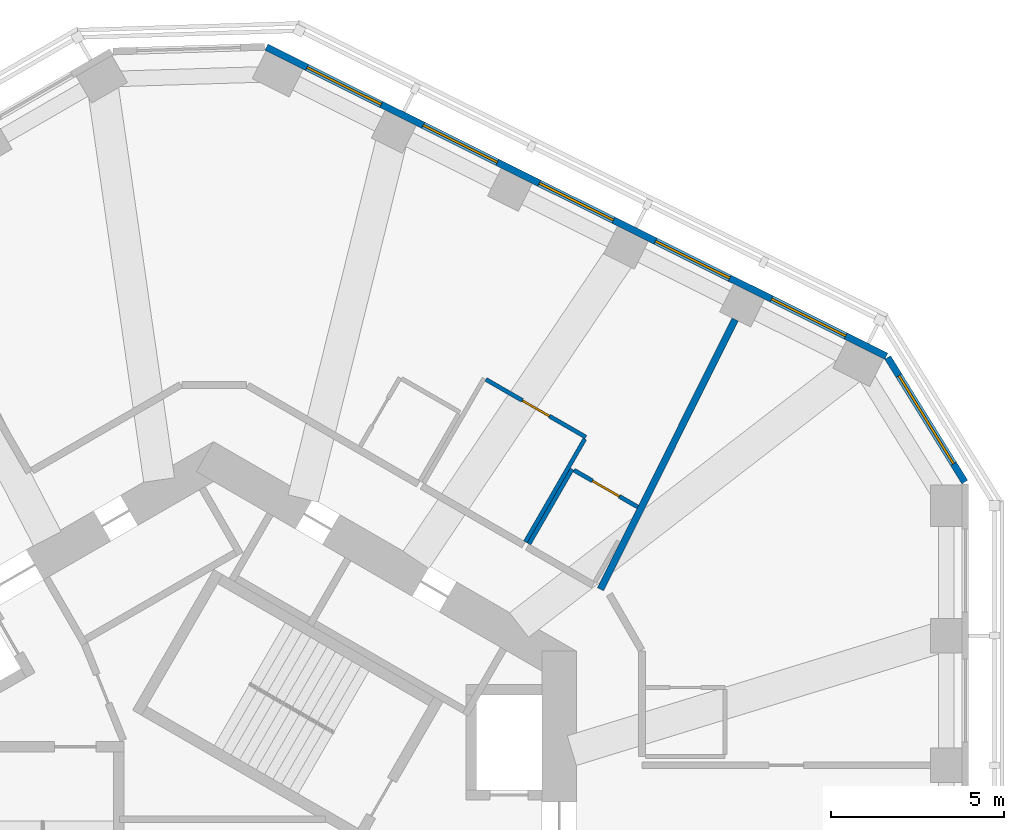
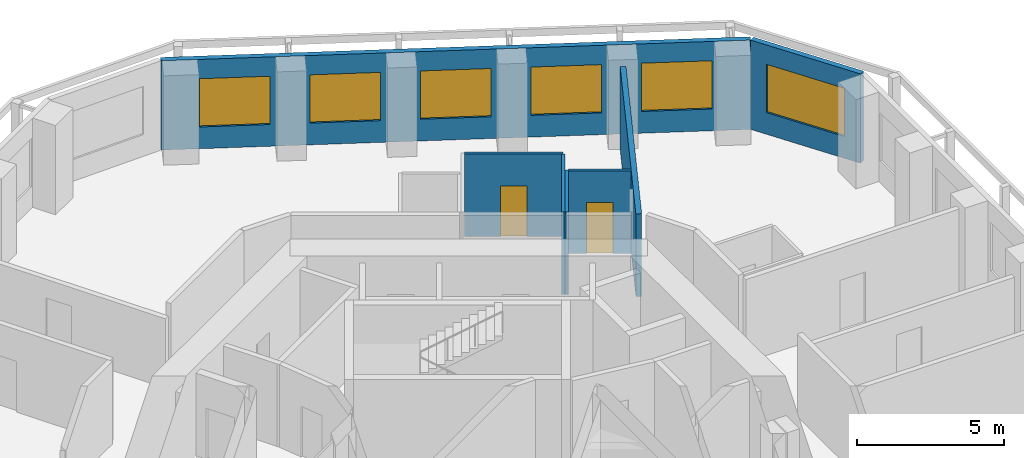
# One storey, part 8 of 11: 7 walls, 6 windows, 2 doors, 8 openings.
"""IFC4 building model written with IfcOpenShell, lengths in metres."""

import ifcopenshell
import ifcopenshell.guid

model = None  # the IFC model being written
_history = None  # IfcOwnerHistory: only IFC2X3 demands one
_inside = {}  # id of a spatial element -> (the spatial element, [elements in it])
_under = {}  # id of a project, library or spatial element -> (it, [spatial elements below it])
_declared = {}  # id of a project -> (the project, [libraries it declares])
_typed = {}  # id of a type object -> (the type object, [elements of that type])
_made_of = {}  # id of a material, layer set ... -> (it, [elements and type objects made of it])


def new_model(schema):
    """Start an empty IFC model of exactly this schema.

    Asked for "IFC4X3", IfcOpenShell would pick the latest addendum, in which some entities
    have other attributes; the version numbers below select the first issue.
    IFC2X3 requires an IfcOwnerHistory on every rooted entity: one is made here for all.
    """
    global model, _history
    if schema == "IFC4X3":
        model = ifcopenshell.file(schema_version=(4, 3, 0, 0))
    else:
        model = ifcopenshell.file(schema=schema)
    _inside.clear()
    _under.clear()
    _declared.clear()
    _typed.clear()
    _made_of.clear()
    _history = None
    if model.schema == "IFC2X3":
        org = make("IfcOrganization", Name="unknown")
        user = make(
            "IfcPersonAndOrganization",
            ThePerson=make("IfcPerson", FamilyName="unknown"),
            TheOrganization=org,
        )
        app = make(
            "IfcApplication",
            ApplicationDeveloper=org,
            Version="unknown",
            ApplicationFullName="unknown",
            ApplicationIdentifier="unknown",
        )
        _history = make(
            "IfcOwnerHistory",
            OwningUser=user,
            OwningApplication=app,
            ChangeAction="ADDED",
            CreationDate=0,
        )
    return model


def make(cls, **values):
    """One entity of the class cls with the attributes given. An attribute that is None is left unset."""
    return model.create_entity(
        cls, **{name: value for name, value in values.items() if value is not None}
    )


def rooted(cls, **values):
    """An entity with a GlobalId (a new one), such as an element, a storey or a relation."""
    return make(cls, GlobalId=ifcopenshell.guid.new(), OwnerHistory=_history, **values)


def si_unit(unit_type, name, prefix=None):
    """IfcSIUnit, for example si_unit("LENGTHUNIT", "METRE", prefix="MILLI")."""
    return make("IfcSIUnit", UnitType=unit_type, Prefix=prefix, Name=name)


def assignment(units):
    """IfcUnitAssignment: the units of a project."""
    return None if units is None else make("IfcUnitAssignment", Units=units)


def point(xyz):
    """IfcCartesianPoint."""
    return None if xyz is None else make("IfcCartesianPoint", Coordinates=xyz)


def direction(xyz):
    """IfcDirection."""
    return None if xyz is None else make("IfcDirection", DirectionRatios=xyz)


def frame(location, z_axis=None, x_axis=None):
    """IfcAxis2Placement3D, a coordinate frame: its origin and axes. An axis left out is left unset."""
    return make(
        "IfcAxis2Placement3D",
        Location=point(location),
        Axis=direction(z_axis),
        RefDirection=direction(x_axis),
    )


def frame_2d(location, x_axis=None):
    """IfcAxis2Placement2D, a coordinate frame in the plane: its origin and x axis."""
    return make(
        "IfcAxis2Placement2D", Location=point(location), RefDirection=direction(x_axis)
    )


def origin():
    """The frame at (0, 0, 0) with its axes left unset."""
    return frame((0.0, 0.0, 0.0))


def place(relative_to, where):
    """IfcLocalPlacement: puts the frame where relative to a parent placement (None: the world)."""
    return make(
        "IfcLocalPlacement", PlacementRelTo=relative_to, RelativePlacement=where
    )


def context(
    kind, dimensions, precision=None, world=None, true_north=None, identifier=None
):
    """IfcGeometricRepresentationContext, for example the 3D "Model" context."""
    return make(
        "IfcGeometricRepresentationContext",
        ContextIdentifier=identifier,
        ContextType=kind,
        CoordinateSpaceDimension=dimensions,
        Precision=precision,
        WorldCoordinateSystem=world,
        TrueNorth=true_north,
    )


def subcontext(parent, identifier, kind, view, scale=None):
    """IfcGeometricRepresentationSubContext, for example "Body" below "Model"."""
    return make(
        "IfcGeometricRepresentationSubContext",
        ContextIdentifier=identifier,
        ContextType=kind,
        ParentContext=parent,
        TargetScale=scale,
        TargetView=view,
    )


def project(units=None, contexts=None):
    """IfcProject with its units and contexts."""
    return rooted(
        "IfcProject",
        Name="project",
        RepresentationContexts=contexts,
        UnitsInContext=assignment(units),
    )


def spatial(cls, under=None, at=None, **own):
    """A site, building, storey or space (cls), placed at a placement, below another one or the project."""
    s = rooted(cls, ObjectPlacement=at, **own)
    if under is not None:
        _under.setdefault(under.id(), (under, []))[1].append(s)
    return s


def profile(cls, at=None, kind="AREA", **sizes):
    """A parametric profile (cls). Its sizes go by their IFC names, for example OverallWidth=200.0."""
    return make(cls, ProfileType=kind, Position=at, **sizes)


def rectangle(**sizes):
    """IfcRectangleProfileDef."""
    return profile("IfcRectangleProfileDef", **sizes)


def extrude(swept, where, along, depth):
    """IfcExtrudedAreaSolid: the profile swept, set in the frame where, extruded along a direction by depth."""
    return make(
        "IfcExtrudedAreaSolid",
        SweptArea=swept,
        Position=where,
        ExtrudedDirection=direction(along),
        Depth=depth,
    )


def shape(context_of_items, identifier, shape_type, items):
    """IfcShapeRepresentation: the items that make up one representation, for example the "Body"."""
    return make(
        "IfcShapeRepresentation",
        ContextOfItems=context_of_items,
        RepresentationIdentifier=identifier,
        RepresentationType=shape_type,
        Items=items,
    )


def material(Name=None, Category=None):
    """IfcMaterial."""
    return make("IfcMaterial", Name=Name, Category=Category)


def layer(
    of_material, thickness, ventilated=None, Name=None, Category=None, Priority=None
):
    """IfcMaterialLayer: one layer of a wall or slab, of a material (None: an air gap)."""
    return make(
        "IfcMaterialLayer",
        Material=of_material,
        LayerThickness=thickness,
        IsVentilated=ventilated,
        Name=Name,
        Category=Category,
        Priority=Priority,
    )


def layer_set(layers, Name=None):
    """IfcMaterialLayerSet."""
    return make("IfcMaterialLayerSet", MaterialLayers=layers, LayerSetName=Name)


def made_of(thing, what):
    """Note that an element or type object is made of a material, layer set ...; save() writes the relation."""
    if what is not None:
        _made_of.setdefault(what.id(), (what, []))[1].append(thing)
    return thing


def type_object(cls, material=None, **own):
    """A type object (cls), such as IfcWallType, which elements share."""
    return made_of(rooted(cls, **own), material)


def element(
    cls,
    number,
    at=None,
    inside=None,
    cuts=None,
    type_object=None,
    material=None,
    context=None,
    identifier="Body",
    shape_type=None,
    held_by="IfcProductDefinitionShape",
    body=None,
    shapes=None,
    **own,
):
    """One element of the class cls, such as IfcWall. Its Tag is "e" and its number.

    at: its placement. inside: the storey or other place that contains it. cuts: it is an
    opening in that element (IfcRelVoidsElement). A single representation is given by context,
    identifier, shape_type and body (its items); several are given by shapes. held_by: the class
    of the entity that holds the representations. save() writes the other relations.
    """
    e = rooted(cls, Tag="e%d" % number, ObjectPlacement=at, **own)
    if body is not None:
        shapes = [shape(context, identifier, shape_type, body)]
    if shapes is not None:
        e.Representation = make(held_by, Representations=shapes)
    if inside is not None:
        _inside.setdefault(inside.id(), (inside, []))[1].append(e)
    if cuts is not None:
        rooted(
            "IfcRelVoidsElement", RelatingBuildingElement=cuts, RelatedOpeningElement=e
        )
    if type_object is not None:
        _typed.setdefault(type_object.id(), (type_object, []))[1].append(e)
    return made_of(e, material)


def fill(opening, filler):
    """IfcRelFillsElement: the door or window that sits in an opening."""
    return rooted(
        "IfcRelFillsElement",
        RelatingOpeningElement=opening,
        RelatedBuildingElement=filler,
    )


def aggregate(whole, parts):
    """IfcRelAggregates: a whole, such as a stair, and the parts it consists of."""
    return rooted("IfcRelAggregates", RelatingObject=whole, RelatedObjects=parts)


def save(model, path):
    """Write the relations noted so far, then the file.

    IfcRelAggregates (storeys below a building ...), IfcRelContainedInSpatialStructure (elements
    in a storey), IfcRelDefinesByType, IfcRelAssociatesMaterial and IfcRelDeclares: one each for
    every whole, place, type object, material and project.
    """
    for whole, parts in _under.values():
        aggregate(whole, parts)
    for where, things in _inside.values():
        rooted(
            "IfcRelContainedInSpatialStructure",
            RelatedElements=things,
            RelatingStructure=where,
        )
    for kind, things in _typed.values():
        rooted("IfcRelDefinesByType", RelatedObjects=things, RelatingType=kind)
    for what, things in _made_of.values():
        rooted("IfcRelAssociatesMaterial", RelatedObjects=things, RelatingMaterial=what)
    for by, libraries in _declared.values():
        rooted("IfcRelDeclares", RelatingContext=by, RelatedDefinitions=libraries)
    model.write(path)


model = new_model("IFC4")

# Units and contexts
model_context = context("Model", 3, precision=1e-05, world=origin(), true_north=direction((0.0, 1.0)))
body_context = subcontext(model_context, "Body", "Model", "MODEL_VIEW")
ifc_project = project(units=[si_unit("LENGTHUNIT", "METRE"), si_unit("AREAUNIT", "SQUARE_METRE"), si_unit("VOLUMEUNIT", "CUBIC_METRE"), si_unit("PLANEANGLEUNIT", "RADIAN"), si_unit("MASSUNIT", "GRAM", prefix="KILO")], contexts=[model_context])

# Site, building, storey
site_placement = place(None, origin())
site = spatial("IfcSite", under=ifc_project, at=site_placement, CompositionType="ELEMENT")
building_placement = place(site_placement, origin())
building = spatial("IfcBuilding", under=site, at=building_placement, Name="Vanh Sen Convention Tower", CompositionType="ELEMENT")
storey_placement = place(building_placement, frame((0.0, 0.0, 176.199951171875)))
storey = spatial("IfcBuildingStorey", under=building, at=storey_placement, Name="L43", CompositionType="ELEMENT", Elevation=176.199951171875)

# Wall, opening, door
ifc_material_1 = material(Name="Moisture-resistant gypsum board on steel studs", Category="steel")
ifc_layer_1 = layer(ifc_material_1, 0.1201171875)
ifc_layer_set_1 = layer_set([ifc_layer_1], Name="Moisture-resistant gypsum board on steel studs")
wall_type_1 = type_object("IfcWallType", Name="Bathroom partition 120", PredefinedType="PARTITIONING", material=ifc_layer_set_1)
wall_1_placement = place(storey_placement, frame((7.878173828125, 13.9267578125, 0.0), z_axis=(0.0, 0.0, 1.0), x_axis=(0.866021245731, -0.500007201891, 0.0)))
wall_1 = element("IfcWall", 1, at=wall_1_placement, inside=storey, type_object=wall_type_1, Name="Bathroom partition 120", PredefinedType="PARTITIONING", context=body_context, shape_type="SweptSolid", body=[
    extrude(rectangle(XDim=3.33984375, YDim=0.1201171875, at=frame_2d((1.669921875, 0.0))), origin(), (0.0, 0.0, 1.0), 3.420166015625),
])
opening_1_placement = place(wall_1_placement, frame((1.219970703125, 0.0, 0.0)))
opening_1 = element("IfcOpeningElement", 2, at=opening_1_placement, cuts=wall_1, Name="Opening D41105", PredefinedType="OPENING", context=body_context, shape_type="SweptSolid", body=[
    extrude(rectangle(XDim=0.89990234375, YDim=2.10009765625, at=frame_2d((0.449951171875, 1.050048828125))), frame((0.0, 0.070068359375, 0.0), z_axis=(0.0, -1.0, 0.0), x_axis=(1.0, 0.0, 0.0)), (0.0, 0.0, 1.0), 0.14013671875),
])
ifc_material_2 = material(Name="Laminate door in steel frame", Category="steel")
door_type = type_object("IfcDoorType", Name="Room internal door 900", OperationType="SINGLE_SWING_LEFT", PredefinedType="DOOR", material=ifc_material_2)
door_1_placement = place(opening_1_placement, origin())
door_1 = element("IfcDoor", 3, at=door_1_placement, inside=storey, type_object=door_type, Name="Internal room door D41105", OperationType="SINGLE_SWING_LEFT", OverallHeight=2.10009765625, OverallWidth=0.89990234375, PredefinedType="DOOR", context=body_context, shape_type="SweptSolid", body=[
    extrude(rectangle(XDim=0.89990234375, YDim=2.10009765625, at=frame_2d((0.449951171875, 1.050048828125))), frame((0.0, 0.02490234375, 0.0), z_axis=(0.0, -1.0, 0.0), x_axis=(1.0, 0.0, 0.0)), (0.0, 0.0, 1.0), 0.050048828125),
])
fill(opening_1, door_1)

# Wall
wall_2_placement = place(storey_placement, frame((9.12451171875, 9.165771484375, 0.0), z_axis=(0.0, 0.0, 1.0), x_axis=(0.500004234368, 0.866022959057, 0.0)))
element("IfcWall", 4, at=wall_2_placement, inside=storey, type_object=wall_type_1, Name="Bathroom partition 120", PredefinedType="PARTITIONING", context=body_context, shape_type="SweptSolid", body=[
    extrude(rectangle(XDim=2.5, YDim=0.1201171875, at=frame_2d((1.25, 0.0))), origin(), (0.0, 0.0, 1.0), 3.420166015625),
])

# Wall, opening, door
wall_3_placement = place(storey_placement, frame((10.426513671875, 11.30078125, 0.0), z_axis=(0.0, 0.0, 1.0), x_axis=(0.866019511163, -0.500010206181, 0.0)))
wall_3 = element("IfcWall", 5, at=wall_3_placement, inside=storey, type_object=wall_type_1, Name="Bathroom partition 120", PredefinedType="PARTITIONING", context=body_context, shape_type="SweptSolid", body=[
    extrude(rectangle(XDim=2.1298828125, YDim=0.1201171875, at=frame_2d((1.06494140625, 0.0))), origin(), (0.0, 0.0, 1.0), 3.420166015625),
])
opening_2_placement = place(wall_3_placement, frame((0.614990234375, 0.0, 0.0)))
opening_2 = element("IfcOpeningElement", 6, at=opening_2_placement, cuts=wall_3, Name="Opening D41104", PredefinedType="OPENING", context=body_context, shape_type="SweptSolid", body=[
    extrude(rectangle(XDim=0.89990234375, YDim=2.10009765625, at=frame_2d((0.449951171875, 1.050048828125))), frame((0.0, 0.070068359375, 0.0), z_axis=(0.0, -1.0, 0.0), x_axis=(1.0, 0.0, 0.0)), (0.0, 0.0, 1.0), 0.14013671875),
])
door_2_placement = place(opening_2_placement, origin())
door_2 = element("IfcDoor", 7, at=door_2_placement, inside=storey, type_object=door_type, Name="Internal room door D41104", OperationType="SINGLE_SWING_LEFT", OverallHeight=2.10009765625, OverallWidth=0.89990234375, PredefinedType="DOOR", context=body_context, shape_type="SweptSolid", body=[
    extrude(rectangle(XDim=0.89990234375, YDim=2.10009765625, at=frame_2d((0.449951171875, 1.050048828125))), frame((0.0, 0.02490234375, 0.0), z_axis=(0.0, -1.0, 0.0), x_axis=(1.0, 0.0, 0.0)), (0.0, 0.0, 1.0), 0.050048828125),
])
fill(opening_2, door_2)

# Wall
wall_4_placement = place(storey_placement, frame((10.740478515625, 12.204833984375, 0.0), z_axis=(0.0, 0.0, 1.0), x_axis=(-0.499978425106, -0.866037859697, 0.0)))
element("IfcWall", 8, at=wall_4_placement, inside=storey, type_object=wall_type_1, Name="Bathroom partition 120", PredefinedType="PARTITIONING", context=body_context, shape_type="SweptSolid", body=[
    extrude(rectangle(XDim=3.440185546875, YDim=0.1201171875, at=frame_2d((1.72021484375, 0.0))), origin(), (0.0, 0.0, 1.0), 3.420166015625),
])

# Wall, opening, window
ifc_material_3 = material(Name="Insulated lightweight infill wall")
ifc_layer_2 = layer(ifc_material_3, 0.199951171875)
ifc_layer_set_2 = layer_set([ifc_layer_2], Name="Insulated lightweight infill wall")
wall_type_2 = type_object("IfcWallType", Name="External wall 200", PredefinedType="STANDARD", material=ifc_layer_set_2)
wall_5_placement = place(storey_placement, frame((21.735107421875, 10.9580078125, 0.0), z_axis=(0.0, 0.0, 1.0), x_axis=(-0.526213807775, 0.850352296702, 0.0)))
wall_5 = element("IfcWall", 9, at=wall_5_placement, inside=storey, type_object=wall_type_2, Name="External wall CH1 L43", PredefinedType="STANDARD", context=body_context, shape_type="SweptSolid", body=[
    extrude(rectangle(XDim=4.23828125, YDim=0.199951171875, at=frame_2d((2.119140625, 0.0))), origin(), (0.0, 0.0, 1.0), 3.699951171875),
])
opening_3_placement = place(wall_5_placement, frame((0.619140625, 0.0, 0.89990234375)))
opening_3 = element("IfcOpeningElement", 10, at=opening_3_placement, cuts=wall_5, Name="Opening WO2-CH11", PredefinedType="OPENING", context=body_context, shape_type="SweptSolid", body=[
    extrude(rectangle(XDim=3.0, YDim=2.0, at=frame_2d((1.5, 1.0))), frame((0.0, 0.10986328125, 0.0), z_axis=(0.0, -1.0, 0.0), x_axis=(1.0, 0.0, 0.0)), (0.0, 0.0, 1.0), 0.219970703125),
])
ifc_material_4 = material(Name="Aluminium frame with clear low-emissivity glass", Category="aluminium")
window_type_1 = type_object("IfcWindowType", Name="Office window 3000 x 2000", PartitioningType="SINGLE_PANEL", PredefinedType="WINDOW", material=ifc_material_4)
window_1_placement = place(opening_3_placement, origin())
window_1 = element("IfcWindow", 11, at=window_1_placement, inside=storey, type_object=window_type_1, Name="Window WO2-CH11", OverallHeight=2.0, OverallWidth=3.0, PartitioningType="SINGLE_PANEL", PredefinedType="WINDOW", context=body_context, shape_type="SweptSolid", body=[
    extrude(rectangle(XDim=3.0, YDim=2.0, at=frame_2d((1.5, 1.0))), frame((0.0, 0.030029296875, 0.0), z_axis=(0.0, -1.0, 0.0), x_axis=(1.0, 0.0, 0.0)), (0.0, 0.0, 1.0), 0.06005859375),
])
fill(opening_3, window_1)

# Wall, openings, windows
wall_6_placement = place(storey_placement, frame((19.46435546875, 14.598876953125, 0.0), z_axis=(0.0, 0.0, 1.0), x_axis=(-0.894935755043, 0.446195018289, 0.0)))
wall_6 = element("IfcWall", 12, at=wall_6_placement, inside=storey, type_object=wall_type_2, Name="External wall NE L43", PredefinedType="STANDARD", context=body_context, shape_type="SweptSolid", body=[
    extrude(rectangle(XDim=20.043701171875, YDim=0.199951171875, at=frame_2d((10.02197265625, 0.0))), origin(), (0.0, 0.0, 1.0), 3.699951171875),
])
opening_4_placement = place(wall_6_placement, frame((1.31298828125, 0.0, 0.89990234375)))
opening_4 = element("IfcOpeningElement", 13, at=opening_4_placement, cuts=wall_6, Name="Opening WO1-NE1", PredefinedType="OPENING", context=body_context, shape_type="SweptSolid", body=[
    extrude(rectangle(XDim=2.39990234375, YDim=2.0, at=frame_2d((1.199951171875, 1.0))), frame((0.0, 0.10986328125, 0.0), z_axis=(0.0, -1.0, 0.0), x_axis=(1.0, 0.0, 0.0)), (0.0, 0.0, 1.0), 0.219970703125),
])
opening_5_placement = place(wall_6_placement, frame((5.06689453125, 0.0, 0.89990234375)))
opening_5 = element("IfcOpeningElement", 14, at=opening_5_placement, cuts=wall_6, Name="Opening WO1-NE2", PredefinedType="OPENING", context=body_context, shape_type="SweptSolid", body=[
    extrude(rectangle(XDim=2.39990234375, YDim=2.0, at=frame_2d((1.199951171875, 1.0))), frame((0.0, 0.10986328125, 0.0), z_axis=(0.0, -1.0, 0.0), x_axis=(1.0, 0.0, 0.0)), (0.0, 0.0, 1.0), 0.219970703125),
])
opening_6_placement = place(wall_6_placement, frame((8.821044921875, 0.0, 0.89990234375)))
opening_6 = element("IfcOpeningElement", 15, at=opening_6_placement, cuts=wall_6, Name="Opening WO1-NE3", PredefinedType="OPENING", context=body_context, shape_type="SweptSolid", body=[
    extrude(rectangle(XDim=2.39990234375, YDim=2.0, at=frame_2d((1.199951171875, 1.0))), frame((0.0, 0.10986328125, 0.0), z_axis=(0.0, -1.0, 0.0), x_axis=(1.0, 0.0, 0.0)), (0.0, 0.0, 1.0), 0.219970703125),
])
opening_7_placement = place(wall_6_placement, frame((12.5751953125, 0.0, 0.89990234375)))
opening_7 = element("IfcOpeningElement", 16, at=opening_7_placement, cuts=wall_6, Name="Opening WO1-NE4", PredefinedType="OPENING", context=body_context, shape_type="SweptSolid", body=[
    extrude(rectangle(XDim=2.39990234375, YDim=2.0, at=frame_2d((1.199951171875, 1.0))), frame((0.0, 0.10986328125, 0.0), z_axis=(0.0, -1.0, 0.0), x_axis=(1.0, 0.0, 0.0)), (0.0, 0.0, 1.0), 0.219970703125),
])
opening_8_placement = place(wall_6_placement, frame((16.329345703125, 0.0, 0.89990234375)))
opening_8 = element("IfcOpeningElement", 17, at=opening_8_placement, cuts=wall_6, Name="Opening WO1-NE5", PredefinedType="OPENING", context=body_context, shape_type="SweptSolid", body=[
    extrude(rectangle(XDim=2.39990234375, YDim=2.0, at=frame_2d((1.199951171875, 1.0))), frame((0.0, 0.10986328125, 0.0), z_axis=(0.0, -1.0, 0.0), x_axis=(1.0, 0.0, 0.0)), (0.0, 0.0, 1.0), 0.219970703125),
])
window_type_2 = type_object("IfcWindowType", Name="Office window 2400 x 2000", PartitioningType="SINGLE_PANEL", PredefinedType="WINDOW", material=ifc_material_4)
window_2_placement = place(opening_4_placement, origin())
window_2 = element("IfcWindow", 18, at=window_2_placement, inside=storey, type_object=window_type_2, Name="Window WO1-NE1", OverallHeight=2.0, OverallWidth=2.39990234375, PartitioningType="SINGLE_PANEL", PredefinedType="WINDOW", context=body_context, shape_type="SweptSolid", body=[
    extrude(rectangle(XDim=2.39990234375, YDim=2.0, at=frame_2d((1.199951171875, 1.0))), frame((0.0, 0.030029296875, 0.0), z_axis=(0.0, -1.0, 0.0), x_axis=(1.0, 0.0, 0.0)), (0.0, 0.0, 1.0), 0.06005859375),
])
fill(opening_4, window_2)
window_3_placement = place(opening_5_placement, origin())
window_3 = element("IfcWindow", 19, at=window_3_placement, inside=storey, type_object=window_type_2, Name="Window WO1-NE2", OverallHeight=2.0, OverallWidth=2.39990234375, PartitioningType="SINGLE_PANEL", PredefinedType="WINDOW", context=body_context, shape_type="SweptSolid", body=[
    extrude(rectangle(XDim=2.39990234375, YDim=2.0, at=frame_2d((1.199951171875, 1.0))), frame((0.0, 0.030029296875, 0.0), z_axis=(0.0, -1.0, 0.0), x_axis=(1.0, 0.0, 0.0)), (0.0, 0.0, 1.0), 0.06005859375),
])
fill(opening_5, window_3)
window_4_placement = place(opening_6_placement, origin())
window_4 = element("IfcWindow", 20, at=window_4_placement, inside=storey, type_object=window_type_2, Name="Window WO1-NE3", OverallHeight=2.0, OverallWidth=2.39990234375, PartitioningType="SINGLE_PANEL", PredefinedType="WINDOW", context=body_context, shape_type="SweptSolid", body=[
    extrude(rectangle(XDim=2.39990234375, YDim=2.0, at=frame_2d((1.199951171875, 1.0))), frame((0.0, 0.030029296875, 0.0), z_axis=(0.0, -1.0, 0.0), x_axis=(1.0, 0.0, 0.0)), (0.0, 0.0, 1.0), 0.06005859375),
])
fill(opening_6, window_4)
window_5_placement = place(opening_7_placement, origin())
window_5 = element("IfcWindow", 21, at=window_5_placement, inside=storey, type_object=window_type_2, Name="Window WO1-NE4", OverallHeight=2.0, OverallWidth=2.39990234375, PartitioningType="SINGLE_PANEL", PredefinedType="WINDOW", context=body_context, shape_type="SweptSolid", body=[
    extrude(rectangle(XDim=2.39990234375, YDim=2.0, at=frame_2d((1.199951171875, 1.0))), frame((0.0, 0.030029296875, 0.0), z_axis=(0.0, -1.0, 0.0), x_axis=(1.0, 0.0, 0.0)), (0.0, 0.0, 1.0), 0.06005859375),
])
fill(opening_7, window_5)
window_6_placement = place(opening_8_placement, origin())
window_6 = element("IfcWindow", 22, at=window_6_placement, inside=storey, type_object=window_type_2, Name="Window WO1-NE5", OverallHeight=2.0, OverallWidth=2.39990234375, PartitioningType="SINGLE_PANEL", PredefinedType="WINDOW", context=body_context, shape_type="SweptSolid", body=[
    extrude(rectangle(XDim=2.39990234375, YDim=2.0, at=frame_2d((1.199951171875, 1.0))), frame((0.0, 0.030029296875, 0.0), z_axis=(0.0, -1.0, 0.0), x_axis=(1.0, 0.0, 0.0)), (0.0, 0.0, 1.0), 0.06005859375),
])
fill(opening_8, window_6)

# Wall
ifc_material_5 = material(Name="Gypsum board on steel studs with mineral wool", Category="steel")
ifc_layer_3 = layer(ifc_material_5, 0.199951171875)
ifc_layer_set_3 = layer_set([ifc_layer_3], Name="Gypsum board on steel studs with mineral wool")
wall_type_3 = type_object("IfcWallType", Name="Tenant suite wall 200", PredefinedType="PARTITIONING", material=ifc_layer_set_3)
wall_7_placement = place(storey_placement, frame((15.089599609375, 15.66259765625, 0.0), z_axis=(0.0, 0.0, 1.0), x_axis=(-0.446206011687, -0.894930273895, 0.0)))
element("IfcWall", 23, at=wall_7_placement, inside=storey, type_object=wall_type_3, Name="Tenant suite wall 200", PredefinedType="PARTITIONING", context=body_context, shape_type="SweptSolid", body=[
    extrude(rectangle(XDim=8.725341796875, YDim=0.199951171875, at=frame_2d((4.36279296875, 0.0))), origin(), (0.0, 0.0, 1.0), 3.420166015625),
])

save(model, "model.ifc")
